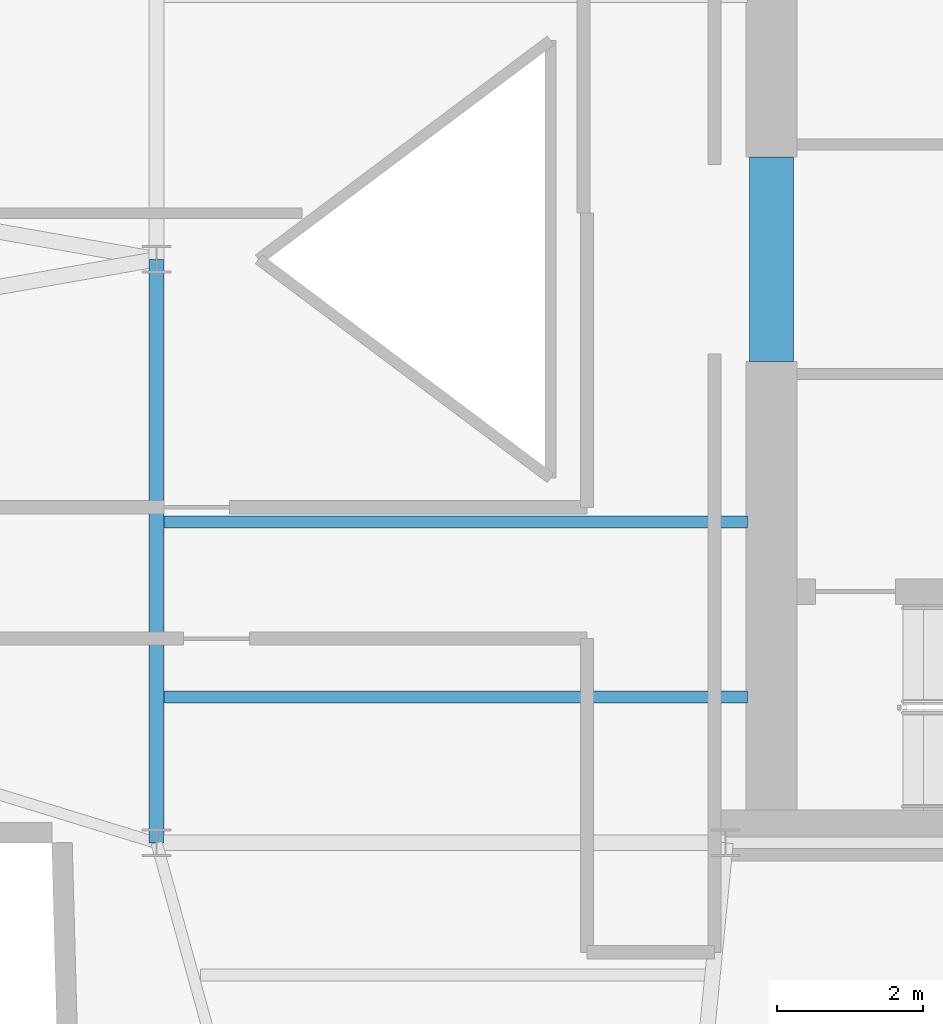
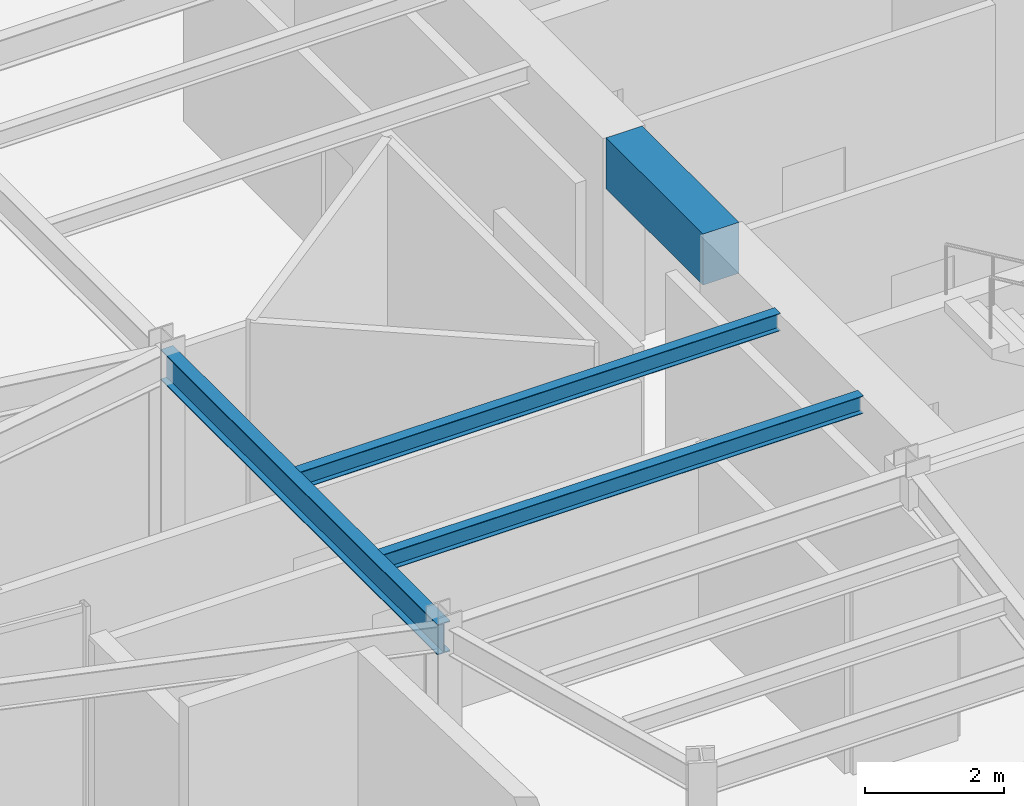
# One storey, part 7 of 20: 4 beams.
"""IFC4 building model written with IfcOpenShell, lengths in metres."""

from ifc_helpers import new_model, si_unit, direction, frame, origin, origin_2d, place, context, subcontext, project, spatial, rectangle, i_section, extrude, material, material_profile, profile_set, type_object, element, save


model = new_model("IFC4")

# Units and contexts
model_context = context("Model", 3, precision=1e-05, world=origin(), true_north=direction((0.0, 1.0)))
body_context = subcontext(model_context, "Body", "Model", "MODEL_VIEW")
ifc_project = project(units=[si_unit("LENGTHUNIT", "METRE"), si_unit("AREAUNIT", "SQUARE_METRE"), si_unit("VOLUMEUNIT", "CUBIC_METRE"), si_unit("PLANEANGLEUNIT", "RADIAN"), si_unit("MASSUNIT", "GRAM", prefix="KILO")], contexts=[model_context])

# Site, building, storey
site_placement = place(None, origin())
site = spatial("IfcSite", under=ifc_project, at=site_placement, CompositionType="ELEMENT")
building_placement = place(site_placement, origin())
building = spatial("IfcBuilding", under=site, at=building_placement, Name="Veymaron Broadcast Tower", CompositionType="ELEMENT")
storey_placement = place(building_placement, frame((0.0, 0.0, 248.550048828125)))
storey = spatial("IfcBuildingStorey", under=building, at=storey_placement, Name="L58", CompositionType="ELEMENT", Elevation=248.550048828125)

# Beams
ifc_material_1 = material(Name="Concrete C60/75", Category="concrete")
ifc_material_profile_1 = material_profile(ifc_material_1, rectangle(XDim=0.60009765625, YDim=0.89990234375, at=origin_2d()), Name="RC600X900")
ifc_profile_set_1 = profile_set([ifc_material_profile_1], Name="Concrete C60/75")
beam_type_1 = type_object("IfcBeamType", Name="BM-CB2", PredefinedType="LINTEL", material=ifc_profile_set_1)
beam_1_placement = place(storey_placement, frame((39.6298828125, 22.60009765625, 3.33984375), z_axis=(0.0, 1.0, 0.0), x_axis=(-1.0, 0.0, 0.0)))
element("IfcBeam", 1, at=beam_1_placement, inside=storey, type_object=beam_type_1, Name="L58 Core Wall west coupling beam", PredefinedType="LINTEL", context=body_context, shape_type="SweptSolid", body=[
    extrude(rectangle(XDim=0.60009765625, YDim=0.89990234375, at=origin_2d()), origin(), (0.0, 0.0, 1.0), 2.7998046875),
])
ifc_material_2 = material(Name="Structural steel ASTM A992 Gr 50", Category="steel")
ifc_material_profile_2 = material_profile(ifc_material_2, i_section(OverallWidth=0.2099609375, OverallDepth=0.537109375, WebThickness=0.010986328125, FlangeThickness=0.017333984375, at=origin_2d()), Name="W530X101")
ifc_profile_set_2 = profile_set([ifc_material_profile_2], Name="Structural steel ASTM A992 Gr 50")
beam_type_2 = type_object("IfcBeamType", Name="BM-FG3", PredefinedType="BEAM", material=ifc_profile_set_2)
beam_2_placement = place(storey_placement, frame((31.199951171875, 16.0, 3.521484375), z_axis=(0.0, 1.0, 0.0), x_axis=(-1.0, 0.0, 0.0)))
element("IfcBeam", 2, at=beam_2_placement, inside=storey, type_object=beam_type_2, Name="L58 primary structural floor girder", PredefinedType="BEAM", context=body_context, shape_type="SweptSolid", body=[
    extrude(i_section(OverallWidth=0.2099609375, OverallDepth=0.537109375, WebThickness=0.010986328125, FlangeThickness=0.017333984375, at=origin_2d()), origin(), (0.0, 0.0, 1.0), 8.0),
])
ifc_material_profile_3 = material_profile(ifc_material_2, i_section(OverallWidth=0.1650390625, OverallDepth=0.31005859375, WebThickness=0.005859375, FlangeThickness=0.009765625, at=origin_2d()), Name="W310X39")
ifc_profile_set_3 = profile_set([ifc_material_profile_3], Name="Structural steel ASTM A992 Gr 50")
beam_type_3 = type_object("IfcBeamType", Name="BM-JS3", PredefinedType="JOIST", material=ifc_profile_set_3)
for number, where, z_axis, x_axis, name in (
    (3, (31.300048828125, 18.0, 3.635009765625), (1.0, 0.0, 0.0), (0.0, 1.0, 0.0), "L58 Hub secondary joist 1"),
    (4, (31.300048828125, 20.39990234375, 3.635009765625), (1.0, 0.0, 0.0), (0.0, 1.0, 0.0), "L58 Hub secondary joist 2"),
):
    element("IfcBeam", number, at=place(storey_placement, frame(where, z_axis=z_axis, x_axis=x_axis)), inside=storey, type_object=beam_type_3, Name=name, PredefinedType="JOIST", context=body_context, shape_type="SweptSolid", body=[
        extrude(i_section(OverallWidth=0.1650390625, OverallDepth=0.31005859375, WebThickness=0.005859375, FlangeThickness=0.009765625, at=origin_2d()), origin(), (0.0, 0.0, 1.0), 8.0),
    ])

save(model, "model.ifc")
